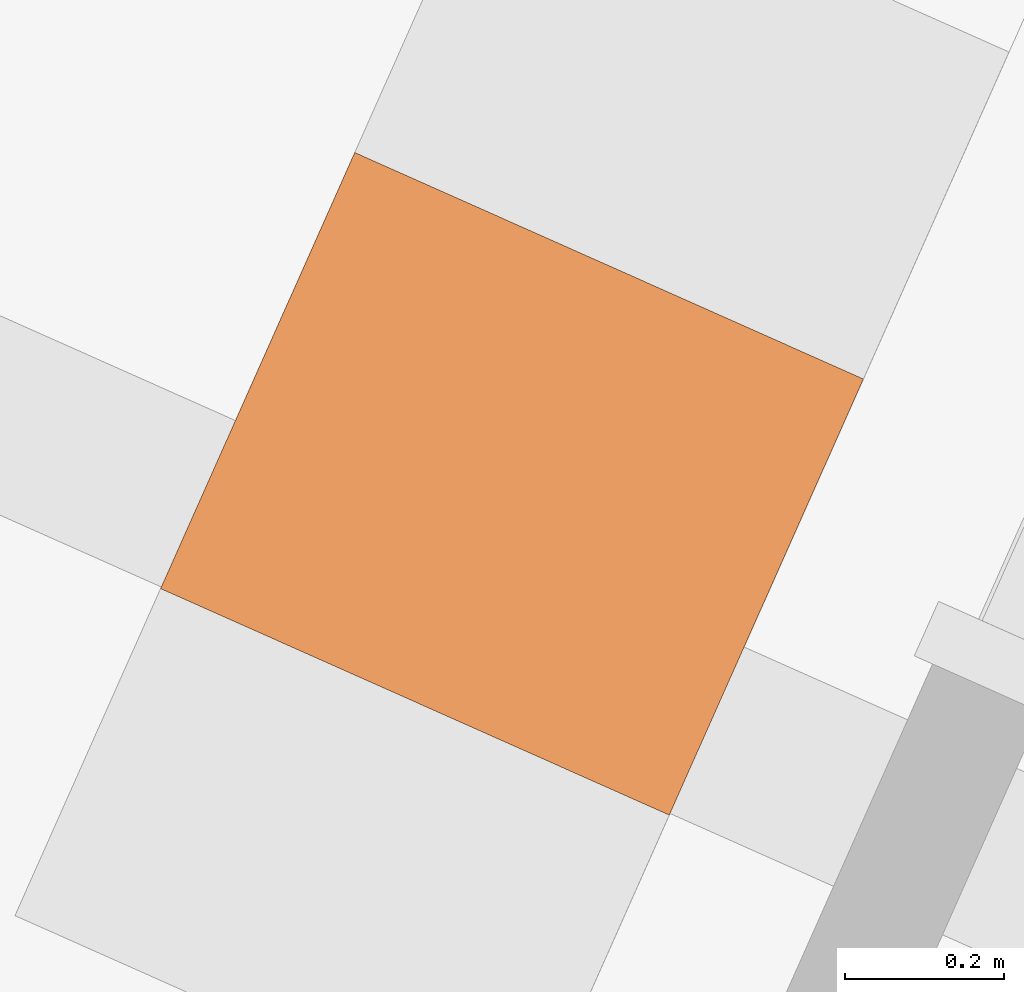
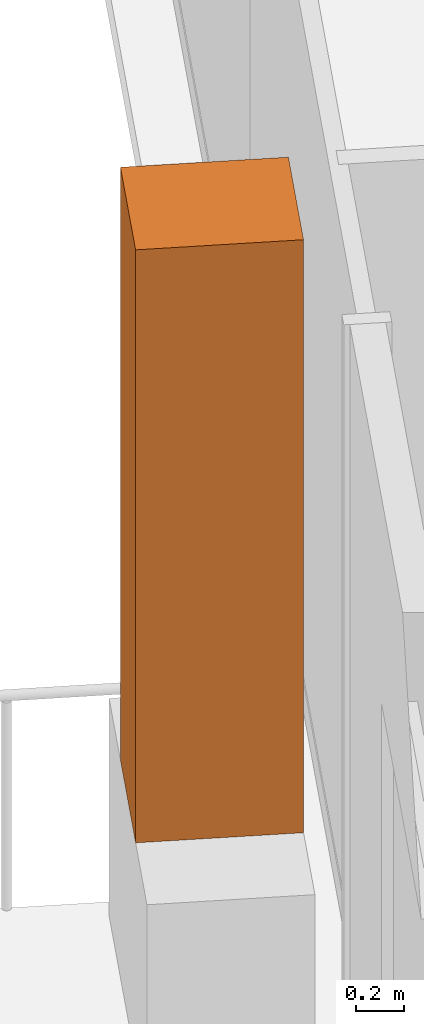
# One storey, part 20 of 20: 1 geographic element.
"""IFC4 building model written with IfcOpenShell, lengths in metres."""

from ifc_helpers import new_model, si_unit, direction, frame, origin, origin_2d, place, context, subcontext, project, spatial, rectangle, extrude, source, transform, mapped, material, type_object, element, save


model = new_model("IFC4")

# Units and contexts
model_context = context("Model", 3, precision=1e-05, world=origin(), true_north=direction((0.0, 1.0)))
body_context = subcontext(model_context, "Body", "Model", "MODEL_VIEW")
ifc_project = project(units=[si_unit("LENGTHUNIT", "METRE"), si_unit("AREAUNIT", "SQUARE_METRE"), si_unit("VOLUMEUNIT", "CUBIC_METRE"), si_unit("PLANEANGLEUNIT", "RADIAN"), si_unit("MASSUNIT", "GRAM", prefix="KILO")], contexts=[model_context])

# Site, building, storey
site_placement = place(None, origin())
site = spatial("IfcSite", under=ifc_project, at=site_placement, CompositionType="ELEMENT")
building_placement = place(site_placement, origin())
building = spatial("IfcBuilding", under=site, at=building_placement, Name="Triune Harvest Tower", CompositionType="ELEMENT")
storey_placement = place(building_placement, frame((0.0, 0.0, 226.89990234375)))
storey = spatial("IfcBuildingStorey", under=building, at=storey_placement, Name="L59", CompositionType="ELEMENT", Elevation=226.89990234375)

# Geographic element
ifc_material = material(Name="TREE-1 tree")
geographic_element_type = type_object("IfcGeographicElementType", Name="TREE-1 tree", PredefinedType="USERDEFINED", material=ifc_material)
shared_shape = source(origin(), body_context, "Body", "SweptSolid", [
    extrude(rectangle(XDim=0.60009765625, YDim=0.699951171875, at=origin_2d()), origin(), (0.0, 0.0, 1.0), 3.0),
])
geographic_element_placement = place(storey_placement, frame((-16.23779296875, 14.307861328125, 1.10009765625), z_axis=(0.0, 0.0, 1.0), x_axis=(-0.406737912248, -0.91354489257, 0.0)))
element("IfcGeographicElement", 1, at=geographic_element_placement, inside=storey, type_object=geographic_element_type, Name="Tree B6-F3 L59.5a", ObjectType="TREE", PredefinedType="USERDEFINED", context=body_context, shape_type="MappedRepresentation", body=[
    mapped(shared_shape, transform((0.0, 0.0, 0.0), scale=1.0)),
])

save(model, "model.ifc")
